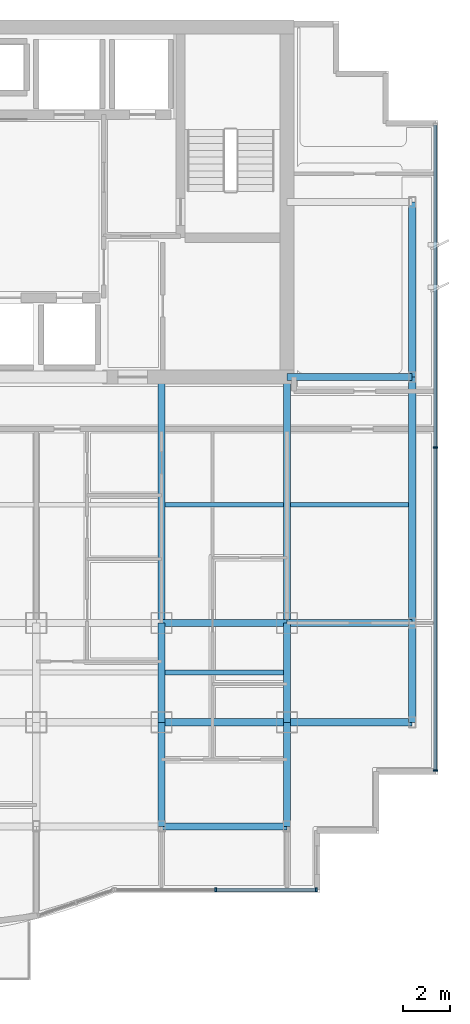
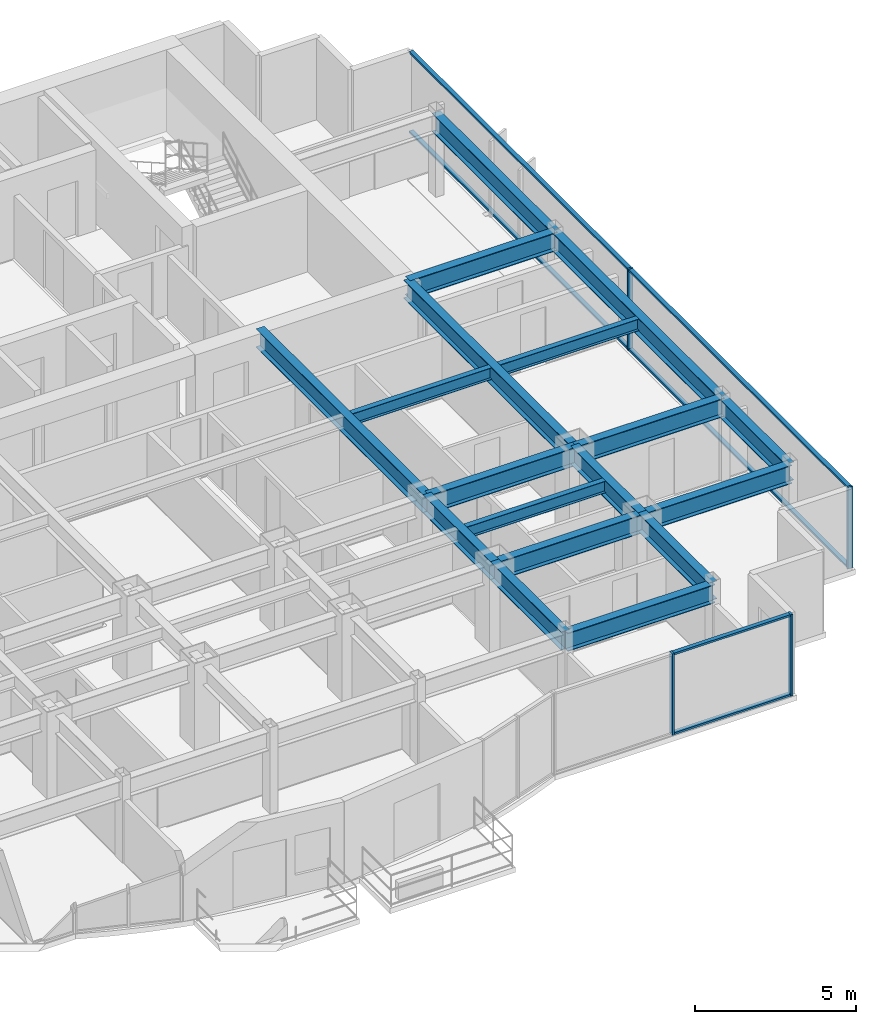
# One storey, part 4 of 13: 18 beams, 10 members, 2 elements without a shape of their own.
"""IFC4 building model written with IfcOpenShell, lengths in metres."""

from ifc_helpers import new_model, si_unit, direction, frame, origin, origin_2d, place, context, subcontext, project, spatial, rectangle, i_section, extrude, source, transform, mapped, material, layer, layer_set, material_profile, profile_set, type_object, element, aggregate, save


model = new_model("IFC4")

# Units and contexts
model_context = context("Model", 3, precision=1e-05, world=origin(), true_north=direction((0.0, 1.0)))
body_context = subcontext(model_context, "Body", "Model", "MODEL_VIEW")
ifc_project = project(units=[si_unit("LENGTHUNIT", "METRE"), si_unit("AREAUNIT", "SQUARE_METRE"), si_unit("VOLUMEUNIT", "CUBIC_METRE"), si_unit("PLANEANGLEUNIT", "RADIAN"), si_unit("MASSUNIT", "GRAM", prefix="KILO")], contexts=[model_context])

# Site, building, storey
site_placement = place(None, origin())
site = spatial("IfcSite", under=ifc_project, at=site_placement, CompositionType="ELEMENT")
building_placement = place(site_placement, origin())
building = spatial("IfcBuilding", under=site, at=building_placement, Name="Qianlan Lanfeng Residences", CompositionType="ELEMENT")
storey_placement = place(building_placement, frame((0.0, 0.0, 142.5)))
storey = spatial("IfcBuildingStorey", under=building, at=storey_placement, Name="L38", CompositionType="ELEMENT", Elevation=142.5)

# Beams
ifc_material_1 = material(Name="Steel SN490B", Category="steel")
ifc_material_profile_1 = material_profile(ifc_material_1, i_section(OverallWidth=0.300048828125, OverallDepth=0.699951171875, WebThickness=0.012939453125, FlangeThickness=0.02392578125, at=origin_2d()), Name="H 700x300x13x24")
ifc_profile_set_1 = profile_set([ifc_material_profile_1], Name="Steel SN490B")
beam_type_1 = type_object("IfcBeamType", Name="G-750", PredefinedType="BEAM", material=ifc_profile_set_1)
beam_1_placement = place(storey_placement, frame((37.10009765625, 10.60009765625, 2.75), z_axis=(1.0, 0.0, 0.0), x_axis=(0.0, 1.0, 0.0)))
element("IfcBeam", 1, at=beam_1_placement, inside=storey, type_object=beam_type_1, Name="Structural beam G-750", PredefinedType="BEAM", context=body_context, shape_type="SweptSolid", body=[
    extrude(i_section(OverallWidth=0.300048828125, OverallDepth=0.699951171875, WebThickness=0.012939453125, FlangeThickness=0.02392578125, at=origin_2d()), origin(), (0.0, 0.0, 1.0), 5.2998046875),
])
beam_2_placement = place(storey_placement, frame((42.39990234375, 10.60009765625, 2.75), z_axis=(1.0, 0.0, 0.0), x_axis=(0.0, 1.0, 0.0)))
element("IfcBeam", 2, at=beam_2_placement, inside=storey, type_object=beam_type_1, Name="Structural beam G-750", PredefinedType="BEAM", context=body_context, shape_type="SweptSolid", body=[
    extrude(i_section(OverallWidth=0.300048828125, OverallDepth=0.699951171875, WebThickness=0.012939453125, FlangeThickness=0.02392578125, at=origin_2d()), origin(), (0.0, 0.0, 1.0), 5.300048828125),
])
beam_3_placement = place(storey_placement, frame((37.10009765625, 14.800048828125, 2.75), z_axis=(1.0, 0.0, 0.0), x_axis=(0.0, 1.0, 0.0)))
element("IfcBeam", 3, at=beam_3_placement, inside=storey, type_object=beam_type_1, Name="Structural beam G-750", PredefinedType="BEAM", context=body_context, shape_type="SweptSolid", body=[
    extrude(i_section(OverallWidth=0.300048828125, OverallDepth=0.699951171875, WebThickness=0.012939453125, FlangeThickness=0.02392578125, at=origin_2d()), origin(), (0.0, 0.0, 1.0), 5.2998046875),
])
for number, where, z_axis, x_axis, name in (
    (4, (42.39990234375, 14.800048828125, 2.75), (1.0, 0.0, 0.0), (0.0, 1.0, 0.0), "Structural beam G-750"),
    (5, (42.39990234375, 25.199951171875, 2.75), (1.0, 0.0, 0.0), (0.0, 1.0, 0.0), "Structural beam G-750"),
):
    element("IfcBeam", number, at=place(storey_placement, frame(where, z_axis=z_axis, x_axis=x_axis)), inside=storey, type_object=beam_type_1, Name=name, PredefinedType="BEAM", context=body_context, shape_type="SweptSolid", body=[
        extrude(i_section(OverallWidth=0.300048828125, OverallDepth=0.699951171875, WebThickness=0.012939453125, FlangeThickness=0.02392578125, at=origin_2d()), origin(), (0.0, 0.0, 1.0), 5.300048828125),
    ])
beam_4_placement = place(storey_placement, frame((37.10009765625, 6.199951171875, 2.75), z_axis=(0.0, 1.0, 0.0), x_axis=(-1.0, 0.0, 0.0)))
element("IfcBeam", 6, at=beam_4_placement, inside=storey, type_object=beam_type_1, Name="Structural beam G-750", PredefinedType="BEAM", context=body_context, shape_type="SweptSolid", body=[
    extrude(i_section(OverallWidth=0.300048828125, OverallDepth=0.699951171875, WebThickness=0.012939453125, FlangeThickness=0.02392578125, at=origin_2d()), origin(), (0.0, 0.0, 1.0), 4.400146484375),
])
beam_5_placement = place(storey_placement, frame((37.10009765625, 10.60009765625, 2.75), z_axis=(0.0, 1.0, 0.0), x_axis=(-1.0, 0.0, 0.0)))
element("IfcBeam", 7, at=beam_5_placement, inside=storey, type_object=beam_type_1, Name="Structural beam G-750", PredefinedType="BEAM", context=body_context, shape_type="SweptSolid", body=[
    extrude(i_section(OverallWidth=0.300048828125, OverallDepth=0.699951171875, WebThickness=0.012939453125, FlangeThickness=0.02392578125, at=origin_2d()), origin(), (0.0, 0.0, 1.0), 4.199951171875),
])
beam_6_placement = place(storey_placement, frame((37.10009765625, 14.800048828125, 2.75), z_axis=(0.0, 1.0, 0.0), x_axis=(-1.0, 0.0, 0.0)))
element("IfcBeam", 8, at=beam_6_placement, inside=storey, type_object=beam_type_1, Name="Structural beam G-750", PredefinedType="BEAM", context=body_context, shape_type="SweptSolid", body=[
    extrude(i_section(OverallWidth=0.300048828125, OverallDepth=0.699951171875, WebThickness=0.012939453125, FlangeThickness=0.02392578125, at=origin_2d()), origin(), (0.0, 0.0, 1.0), 10.39990234375),
])
beam_7_placement = place(storey_placement, frame((42.39990234375, 6.199951171875, 2.75), z_axis=(0.0, 1.0, 0.0), x_axis=(-1.0, 0.0, 0.0)))
element("IfcBeam", 9, at=beam_7_placement, inside=storey, type_object=beam_type_1, Name="Structural beam G-750", PredefinedType="BEAM", context=body_context, shape_type="SweptSolid", body=[
    extrude(i_section(OverallWidth=0.300048828125, OverallDepth=0.699951171875, WebThickness=0.012939453125, FlangeThickness=0.02392578125, at=origin_2d()), origin(), (0.0, 0.0, 1.0), 4.400146484375),
])
beam_8_placement = place(storey_placement, frame((42.39990234375, 10.60009765625, 2.75), z_axis=(0.0, 1.0, 0.0), x_axis=(-1.0, 0.0, 0.0)))
element("IfcBeam", 10, at=beam_8_placement, inside=storey, type_object=beam_type_1, Name="Structural beam G-750", PredefinedType="BEAM", context=body_context, shape_type="SweptSolid", body=[
    extrude(i_section(OverallWidth=0.300048828125, OverallDepth=0.699951171875, WebThickness=0.012939453125, FlangeThickness=0.02392578125, at=origin_2d()), origin(), (0.0, 0.0, 1.0), 4.199951171875),
])
beam_9_placement = place(storey_placement, frame((42.39990234375, 14.800048828125, 2.75), z_axis=(0.0, 1.0, 0.0), x_axis=(-1.0, 0.0, 0.0)))
element("IfcBeam", 11, at=beam_9_placement, inside=storey, type_object=beam_type_1, Name="Structural beam G-750", PredefinedType="BEAM", context=body_context, shape_type="SweptSolid", body=[
    extrude(i_section(OverallWidth=0.300048828125, OverallDepth=0.699951171875, WebThickness=0.012939453125, FlangeThickness=0.02392578125, at=origin_2d()), origin(), (0.0, 0.0, 1.0), 10.39990234375),
])
ifc_material_profile_2 = material_profile(ifc_material_1, i_section(OverallWidth=0.199951171875, OverallDepth=0.449951171875, WebThickness=0.009033203125, FlangeThickness=0.013916015625, at=origin_2d()), Name="H 450x200x9x14")
ifc_profile_set_2 = profile_set([ifc_material_profile_2], Name="Steel SN490B")
beam_type_2 = type_object("IfcBeamType", Name="J-450", PredefinedType="JOIST", material=ifc_profile_set_2)
for number, where, z_axis, x_axis, name in (
    (12, (37.25, 12.699951171875, 2.875), (1.0, 0.0, 0.0), (0.0, 1.0, 0.0), "Structural beam J-450"),
    (13, (37.25, 19.800048828125, 2.875), (1.0, 0.0, 0.0), (0.0, 1.0, 0.0), "Structural beam J-450"),
    (14, (42.550048828125, 19.800048828125, 2.875), (1.0, 0.0, 0.0), (0.0, 1.0, 0.0), "Structural beam J-450"),
):
    element("IfcBeam", number, at=place(storey_placement, frame(where, z_axis=z_axis, x_axis=x_axis)), inside=storey, type_object=beam_type_2, Name=name, PredefinedType="JOIST", context=body_context, shape_type="SweptSolid", body=[
        extrude(i_section(OverallWidth=0.199951171875, OverallDepth=0.449951171875, WebThickness=0.009033203125, FlangeThickness=0.013916015625, at=origin_2d()), origin(), (0.0, 0.0, 1.0), 5.0),
    ])
ifc_material_profile_3 = material_profile(ifc_material_1, i_section(OverallWidth=0.300048828125, OverallDepth=0.699951171875, WebThickness=0.012939453125, FlangeThickness=0.02392578125, at=origin_2d()), Name="H 700x300x13x24")
ifc_profile_set_3 = profile_set([ifc_material_profile_3], Name="Steel SN490B")
beam_type_3 = type_object("IfcBeamType", Name="SG-750", PredefinedType="SPANDREL", material=ifc_profile_set_3)
beam_10_placement = place(storey_placement, frame((37.10009765625, 6.199951171875, 2.739990234375), z_axis=(1.0, 0.0, 0.0), x_axis=(0.0, 1.0, 0.0)))
element("IfcBeam", 15, at=beam_10_placement, inside=storey, type_object=beam_type_3, Name="Structural beam SG-750", PredefinedType="SPANDREL", context=body_context, shape_type="SweptSolid", body=[
    extrude(i_section(OverallWidth=0.300048828125, OverallDepth=0.699951171875, WebThickness=0.012939453125, FlangeThickness=0.02392578125, at=origin_2d()), origin(), (0.0, 0.0, 1.0), 5.2998046875),
])
beam_11_placement = place(storey_placement, frame((47.699951171875, 10.60009765625, 2.739990234375), z_axis=(0.0, 1.0, 0.0), x_axis=(-1.0, 0.0, 0.0)))
element("IfcBeam", 16, at=beam_11_placement, inside=storey, type_object=beam_type_3, Name="Structural beam SG-750", PredefinedType="SPANDREL", context=body_context, shape_type="SweptSolid", body=[
    extrude(i_section(OverallWidth=0.300048828125, OverallDepth=0.699951171875, WebThickness=0.012939453125, FlangeThickness=0.02392578125, at=origin_2d()), origin(), (0.0, 0.0, 1.0), 4.199951171875),
])
beam_12_placement = place(storey_placement, frame((47.699951171875, 14.800048828125, 2.739990234375), z_axis=(0.0, 1.0, 0.0), x_axis=(-1.0, 0.0, 0.0)))
element("IfcBeam", 17, at=beam_12_placement, inside=storey, type_object=beam_type_3, Name="Structural beam SG-750", PredefinedType="SPANDREL", context=body_context, shape_type="SweptSolid", body=[
    extrude(i_section(OverallWidth=0.300048828125, OverallDepth=0.699951171875, WebThickness=0.012939453125, FlangeThickness=0.02392578125, at=origin_2d()), origin(), (0.0, 0.0, 1.0), 10.39990234375),
])
beam_13_placement = place(storey_placement, frame((47.699951171875, 25.199951171875, 2.739990234375), z_axis=(0.0, 1.0, 0.0), x_axis=(-1.0, 0.0, 0.0)))
element("IfcBeam", 18, at=beam_13_placement, inside=storey, type_object=beam_type_3, Name="Structural beam SG-750", PredefinedType="SPANDREL", context=body_context, shape_type="SweptSolid", body=[
    extrude(i_section(OverallWidth=0.300048828125, OverallDepth=0.699951171875, WebThickness=0.012939453125, FlangeThickness=0.02392578125, at=origin_2d()), origin(), (0.0, 0.0, 1.0), 7.400146484375),
])

# Curtain wall, members
ifc_material_2 = material(Name="Anodised Bronze Aluminium 6063-T6", Category="aluminium")
ifc_layer = layer(ifc_material_2, 0.219970703125)
ifc_layer_set = layer_set([ifc_layer], Name="Anodised Bronze Aluminium 6063-T6")
curtain_wall_type = type_object("IfcCurtainWallType", Name="CW-04", PredefinedType="NOTDEFINED", material=ifc_layer_set)
curtain_wall_1_placement = place(storey_placement, origin())
curtain_wall_1 = element("IfcCurtainWall", 19, at=curtain_wall_1_placement, inside=storey, type_object=curtain_wall_type, Name="L38 Unitised Curtain Wall CWR-L38-04 (CW-04)", PredefinedType="NOTDEFINED")
ifc_material_profile_4 = material_profile(ifc_material_2, rectangle(XDim=0.074951171875, YDim=0.14990234375, at=origin_2d()), Name="ALU TRANSOM 75x150")
ifc_profile_set_4 = profile_set([ifc_material_profile_4], Name="Anodised Bronze Aluminium 6063-T6")
member_type_1 = type_object("IfcMemberType", Name="CWT-150", PredefinedType="USERDEFINED", material=ifc_profile_set_4)
shared_shape_1 = source(origin(), body_context, "Body", "SweptSolid", [
    extrude(rectangle(XDim=0.074951171875, YDim=0.14990234375, at=origin_2d()), origin(), (0.0, 0.0, 1.0), 4.178955078125),
])
member_1_placement = place(storey_placement, frame((39.426025390625, 3.52001953125, 0.03759765625), z_axis=(1.0, 0.0, 0.0), x_axis=(0.0, 0.0, 1.0)))
member_1 = element("IfcMember", 20, at=member_1_placement, type_object=member_type_1, Name="CWR-L38-04 Transom 2-BOT", ObjectType="TRANSOM", PredefinedType="USERDEFINED", context=body_context, shape_type="MappedRepresentation", body=[
    mapped(shared_shape_1, transform((0.0, 0.0, 0.0), scale=1.0)),
])
member_2_placement = place(storey_placement, frame((39.426025390625, 3.52001953125, 3.0625), z_axis=(1.0, 0.0, 0.0), x_axis=(0.0, 0.0, 1.0)))
member_2 = element("IfcMember", 21, at=member_2_placement, type_object=member_type_1, Name="CWR-L38-04 Transom 2-TOP", ObjectType="TRANSOM", PredefinedType="USERDEFINED", context=body_context, shape_type="MappedRepresentation", body=[
    mapped(shared_shape_1, transform((0.0, 0.0, 0.0), scale=1.0)),
])
ifc_material_profile_5 = material_profile(ifc_material_2, rectangle(XDim=0.074951171875, YDim=0.179931640625, at=origin_2d()), Name="ALU MULLION 75x180")
ifc_profile_set_5 = profile_set([ifc_material_profile_5], Name="Anodised Bronze Aluminium 6063-T6")
member_type_2 = type_object("IfcMemberType", Name="CWM-180", PredefinedType="MULLION", material=ifc_profile_set_5)
shared_shape_2 = source(origin(), body_context, "Body", "SweptSolid", [
    extrude(rectangle(XDim=0.074951171875, YDim=0.179931640625, at=origin_2d()), origin(), (0.0, 0.0, 1.0), 3.10009765625),
])
member_3_placement = place(storey_placement, frame((39.388427734375, 3.52001953125, 0.0), z_axis=(0.0, 0.0, 1.0), x_axis=(1.0, 0.0, 0.0)))
member_3 = element("IfcMember", 22, at=member_3_placement, type_object=member_type_2, Name="CWR-L38-04 Mullion 2", PredefinedType="MULLION", context=body_context, shape_type="MappedRepresentation", body=[
    mapped(shared_shape_2, transform((0.0, 0.0, 0.0), scale=1.0)),
])
member_4_placement = place(storey_placement, frame((43.642578125, 3.52001953125, 0.0), z_axis=(0.0, 0.0, 1.0), x_axis=(1.0, 0.0, 0.0)))
member_4 = element("IfcMember", 23, at=member_4_placement, type_object=member_type_2, Name="CWR-L38-04 Mullion 3", PredefinedType="MULLION", context=body_context, shape_type="MappedRepresentation", body=[
    mapped(shared_shape_2, transform((0.0, 0.0, 0.0), scale=1.0)),
])
aggregate(curtain_wall_1, [member_3, member_4, member_1, member_2])

curtain_wall_2_placement = place(storey_placement, origin())
curtain_wall_2 = element("IfcCurtainWall", 24, at=curtain_wall_2_placement, inside=storey, type_object=curtain_wall_type, Name="L38 Unitised Curtain Wall CWR-L38-05 (CW-04)", PredefinedType="NOTDEFINED")
member_5_placement = place(storey_placement, frame((48.679931640625, 8.5576171875, 0.0), z_axis=(0.0, 0.0, 1.0), x_axis=(0.0, 1.0, 0.0)))
member_5 = element("IfcMember", 25, at=member_5_placement, type_object=member_type_2, Name="CWR-L38-05 Mullion 1", PredefinedType="MULLION", context=body_context, shape_type="MappedRepresentation", body=[
    mapped(shared_shape_2, transform((0.0, 0.0, 0.0), scale=1.0)),
])
member_6_placement = place(storey_placement, frame((48.679931640625, 22.22509765625, 0.0), z_axis=(0.0, 0.0, 1.0), x_axis=(0.0, 1.0, 0.0)))
member_6 = element("IfcMember", 26, at=member_6_placement, type_object=member_type_2, Name="CWR-L38-05 Mullion 2", PredefinedType="MULLION", context=body_context, shape_type="MappedRepresentation", body=[
    mapped(shared_shape_2, transform((0.0, 0.0, 0.0), scale=1.0)),
])
shared_shape_3 = source(origin(), body_context, "Body", "SweptSolid", [
    extrude(rectangle(XDim=0.074951171875, YDim=0.14990234375, at=origin_2d()), origin(), (0.0, 0.0, 1.0), 13.592529296875),
])
member_7_placement = place(storey_placement, frame((48.679931640625, 8.594970703125, 0.03759765625), z_axis=(0.0, 1.0, 0.0), x_axis=(0.0, 0.0, 1.0)))
member_7 = element("IfcMember", 27, at=member_7_placement, type_object=member_type_1, Name="CWR-L38-05 Transom 1-BOT", ObjectType="TRANSOM", PredefinedType="USERDEFINED", context=body_context, shape_type="MappedRepresentation", body=[
    mapped(shared_shape_3, transform((0.0, 0.0, 0.0), scale=1.0)),
])
member_8_placement = place(storey_placement, frame((48.679931640625, 8.594970703125, 3.0625), z_axis=(0.0, 1.0, 0.0), x_axis=(0.0, 0.0, 1.0)))
member_8 = element("IfcMember", 28, at=member_8_placement, type_object=member_type_1, Name="CWR-L38-05 Transom 1-TOP", ObjectType="TRANSOM", PredefinedType="USERDEFINED", context=body_context, shape_type="MappedRepresentation", body=[
    mapped(shared_shape_3, transform((0.0, 0.0, 0.0), scale=1.0)),
])
member_9_placement = place(storey_placement, frame((48.679931640625, 22.262451171875, 0.03759765625), z_axis=(0.0, 1.0, 0.0), x_axis=(0.0, 0.0, 1.0)))
member_9 = element("IfcMember", 29, at=member_9_placement, type_object=member_type_1, Name="CWR-L38-05 Transom 2-BOT", ObjectType="TRANSOM", PredefinedType="USERDEFINED", context=body_context, shape_type="MappedRepresentation", body=[
    mapped(shared_shape_3, transform((0.0, 0.0, 0.0), scale=1.0)),
])
member_10_placement = place(storey_placement, frame((48.679931640625, 22.262451171875, 3.0625), z_axis=(0.0, 1.0, 0.0), x_axis=(0.0, 0.0, 1.0)))
member_10 = element("IfcMember", 30, at=member_10_placement, type_object=member_type_1, Name="CWR-L38-05 Transom 2-TOP", ObjectType="TRANSOM", PredefinedType="USERDEFINED", context=body_context, shape_type="MappedRepresentation", body=[
    mapped(shared_shape_3, transform((0.0, 0.0, 0.0), scale=1.0)),
])
aggregate(curtain_wall_2, [member_5, member_6, member_7, member_8, member_9, member_10])

save(model, "model.ifc")
